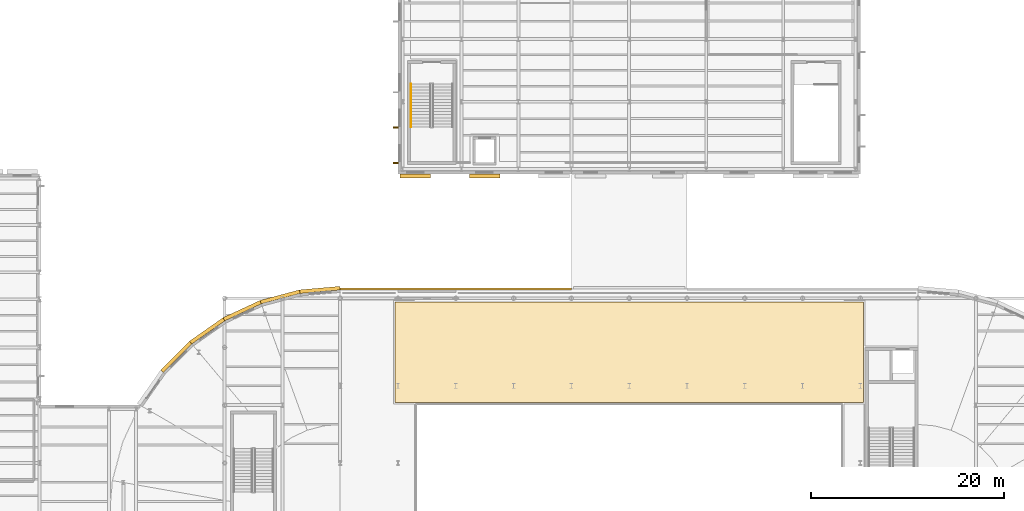
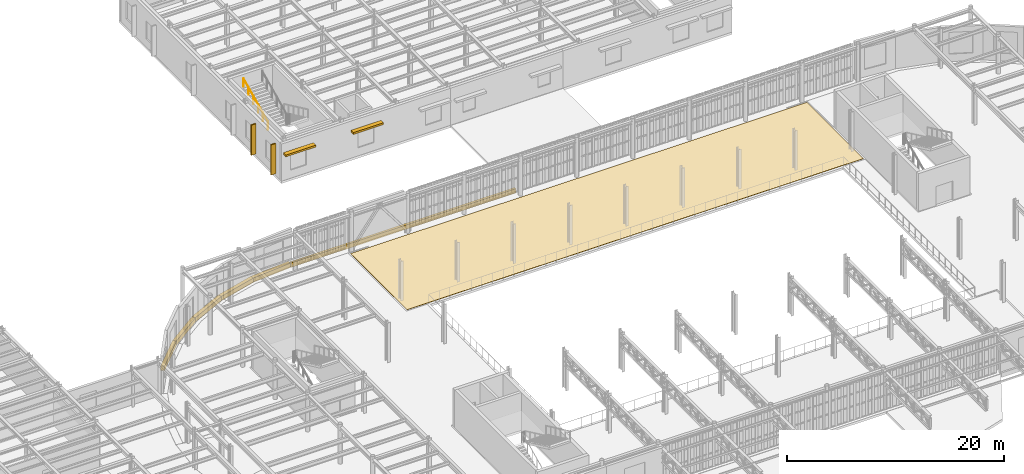
# One storey, part 86 of 91: 7 coverings, 4 shading devices, 1 railing, 1 element without a shape of its own.
"""IFC4 building model written with IfcOpenShell, lengths in metres."""

from ifc_helpers import new_model, si_unit, direction, frame, origin, origin_2d, place, context, subcontext, project, spatial, polyline, rectangle, circle, outline, extrude, material, layer, layer_set, type_object, element, aggregate, save


model = new_model("IFC4")

# Units and contexts
model_context = context("Model", 3, precision=1e-05, world=origin(), true_north=direction((0.0, 1.0)))
body_context = subcontext(model_context, "Body", "Model", "MODEL_VIEW")
ifc_project = project(units=[si_unit("LENGTHUNIT", "METRE"), si_unit("AREAUNIT", "SQUARE_METRE"), si_unit("VOLUMEUNIT", "CUBIC_METRE"), si_unit("PLANEANGLEUNIT", "RADIAN"), si_unit("MASSUNIT", "GRAM", prefix="KILO")], contexts=[model_context])

# Site, building, storey
site_placement = place(None, origin())
site = spatial("IfcSite", under=ifc_project, at=site_placement, CompositionType="ELEMENT")
building_placement = place(site_placement, origin())
building = spatial("IfcBuilding", under=site, at=building_placement, Name="Kolvaren Corner Interchange", CompositionType="ELEMENT")
storey_placement = place(building_placement, frame((0.0, 0.0, 6.0)))
storey = spatial("IfcBuildingStorey", under=building, at=storey_placement, Name="L02", CompositionType="ELEMENT", Elevation=6.0)

# Coverings
ifc_material_1 = material(Name="Polished Niger Delta Granite Terrazzo Flooring", Category="masonry")
ifc_layer_1 = layer(ifc_material_1, 0.030029296875)
ifc_layer_set_1 = layer_set([ifc_layer_1], Name="Polished Niger Delta Granite Terrazzo Flooring")
covering_type_1 = type_object("IfcCoveringType", Name="COV-FLR-TER30", PredefinedType="FLOORING", material=ifc_layer_set_1)
covering_1_placement = place(storey_placement, origin())
element("IfcCovering", 1, at=covering_1_placement, inside=storey, type_object=covering_type_1, Name="L02 North Racetrack Waiting Gallery Floor Finish", PredefinedType="FLOORING", context=body_context, shape_type="SweptSolid", body=[
    extrude(outline(polyline([(65.679931640625, 60.280029296875), (114.320068359375, 60.280029296875), (114.320068359375, 70.719970703125), (65.679931640625, 70.719970703125), (65.679931640625, 60.280029296875)])), origin(), (0.0, 0.0, 1.0), 0.030029296875),
])
ifc_material_2 = material(Name="Glazed White Terracotta Fascia Cladding", Category="masonry")
ifc_layer_2 = layer(ifc_material_2, 0.0400390625)
ifc_layer_set_2 = layer_set([ifc_layer_2], Name="Glazed White Terracotta Fascia Cladding")
covering_type_2 = type_object("IfcCoveringType", Name="COV-WHT-CLAD40", PredefinedType="CLADDING", material=ifc_layer_set_2)
covering_2_placement = place(storey_placement, frame((0.0, 0.0, -0.320068359375)))
element("IfcCovering", 2, at=covering_2_placement, inside=storey, type_object=covering_type_2, Name="Racetrack North West L02 White Band", PredefinedType="CLADDING", context=body_context, shape_type="SweptSolid", body=[
    extrude(outline(polyline([(60.0, 71.93994140625), (84.0, 71.93994140625), (84.0, 72.179931640625), (60.0, 72.179931640625), (60.0, 71.93994140625)])), origin(), (0.0, 0.0, 1.0), 0.5),
])
covering_3_placement = place(storey_placement, frame((0.0, 0.0, -0.320068359375)))
element("IfcCovering", 3, at=covering_3_placement, inside=storey, type_object=covering_type_2, Name="Racetrack West L02 Sweeping White Edge Band 01", PredefinedType="CLADDING", context=body_context, shape_type="SweptSolid", body=[
    extrude(outline(polyline([(60.0, 71.9599609375), (60.0, 72.340087890625), (55.7734375, 71.97021484375), (55.83935546875, 71.595947265625), (60.0, 71.9599609375)])), origin(), (0.0, 0.0, 1.0), 0.5),
])
covering_4_placement = place(storey_placement, frame((0.0, 0.0, -0.320068359375)))
element("IfcCovering", 4, at=covering_4_placement, inside=storey, type_object=covering_type_2, Name="Racetrack West L02 Sweeping White Edge Band 02", PredefinedType="CLADDING", context=body_context, shape_type="SweptSolid", body=[
    extrude(outline(polyline([(55.83935546875, 71.595947265625), (55.7734375, 71.97021484375), (51.67529296875, 70.8720703125), (51.80517578125, 70.514892578125), (55.83935546875, 71.595947265625)])), origin(), (0.0, 0.0, 1.0), 0.5),
])
covering_5_placement = place(storey_placement, frame((0.0, 0.0, -0.320068359375)))
element("IfcCovering", 5, at=covering_5_placement, inside=storey, type_object=covering_type_2, Name="Racetrack West L02 Sweeping White Edge Band 03", PredefinedType="CLADDING", context=body_context, shape_type="SweptSolid", body=[
    extrude(outline(polyline([(51.80517578125, 70.514892578125), (51.67529296875, 70.8720703125), (47.830078125, 69.0791015625), (48.02001953125, 68.75), (51.80517578125, 70.514892578125)])), origin(), (0.0, 0.0, 1.0), 0.5),
])
covering_6_placement = place(storey_placement, frame((0.0, 0.0, -0.320068359375)))
element("IfcCovering", 6, at=covering_6_placement, inside=storey, type_object=covering_type_2, Name="Racetrack West L02 Sweeping White Edge Band 04", PredefinedType="CLADDING", context=body_context, shape_type="SweptSolid", body=[
    extrude(outline(polyline([(48.02001953125, 68.75), (47.830078125, 69.0791015625), (44.3544921875, 66.6455078125), (44.598876953125, 66.3544921875), (48.02001953125, 68.75)])), origin(), (0.0, 0.0, 1.0), 0.5),
])
covering_7_placement = place(storey_placement, frame((0.0, 0.0, -0.320068359375)))
element("IfcCovering", 7, at=covering_7_placement, inside=storey, type_object=covering_type_2, Name="Racetrack West L02 Sweeping White Edge Band 05", PredefinedType="CLADDING", context=body_context, shape_type="SweptSolid", body=[
    extrude(outline(polyline([(44.598876953125, 66.3544921875), (44.3544921875, 66.6455078125), (41.3544921875, 63.6455078125), (41.6455078125, 63.401123046875), (44.598876953125, 66.3544921875)])), origin(), (0.0, 0.0, 1.0), 0.5),
])

# Stair, railing
ifc_material_3 = material(Name="Concrete C35/45", Category="concrete")
stair_type = type_object("IfcStairType", Name="ST-PL-2100", PredefinedType="HALF_TURN_STAIR", material=ifc_material_3)
stair_placement = place(storey_placement, origin())
stair = element("IfcStair", 8, at=stair_placement, inside=storey, type_object=stair_type, Name="Cycle Hub West Pavilion Exit Stair L02 to L03 Stair", PredefinedType="HALF_TURN_STAIR")
ifc_material_4 = material(Name="Brushed Stainless Steel Stair Handrail", Category="steel")
railing_type = type_object("IfcRailingType", Name="RLT-STAIR-HR950", PredefinedType="HANDRAIL", material=ifc_material_4)
railing_placement = place(storey_placement, frame((67.360107421875, 88.8701171875, 2.39990234375)))
railing = element("IfcRailing", 9, at=railing_placement, type_object=railing_type, Name="Cycle Hub West Pavilion Exit Stair L02 Upper Flight Wall Handrail", PredefinedType="HANDRAIL", context=body_context, shape_type="SweptSolid", body=[
    extrude(circle(Radius=0.02197265625, at=origin_2d()), frame((0.0, 0.0, 0.927978515625), z_axis=(0.0, 0.905450639465, 0.424451574969), x_axis=(-1.0, 0.0, 0.0)), (0.0, 0.0, 1.0), 4.94775390625),
    extrude(circle(Radius=0.01806640625, at=origin_2d()), origin(), (0.0, 0.0, 1.0), 0.906005859375),
    extrude(circle(Radius=0.01806640625, at=origin_2d()), frame((0.0, 0.89599609375, 0.419921875)), (0.0, 0.0, 1.0), 0.906005859375),
    extrude(circle(Radius=0.01806640625, at=origin_2d()), frame((0.0, 1.7919921875, 0.840087890625)), (0.0, 0.0, 1.0), 0.906005859375),
    extrude(circle(Radius=0.01806640625, at=origin_2d()), frame((0.0, 2.68798828125, 1.260009765625)), (0.0, 0.0, 1.0), 0.906005859375),
    extrude(circle(Radius=0.01806640625, at=origin_2d()), frame((0.0, 3.583984375, 1.68017578125)), (0.0, 0.0, 1.0), 0.906005859375),
    extrude(circle(Radius=0.01806640625, at=origin_2d()), frame((0.0, 4.47998046875, 2.10009765625)), (0.0, 0.0, 1.0), 0.906005859375),
])
aggregate(stair, [railing])

# Shading devices
ifc_material_5 = material(Name="Glazed Ochre Ceramic Baguette Solar Louvre")
shading_device_type_1 = type_object("IfcShadingDeviceType", Name="SHD-BAG-H450", PredefinedType="JALOUSIE", material=ifc_material_5)
for number, where, z_axis, x_axis, name in (
    (10, (67.800048828125, 83.7900390625, 2.93017578125), (0.0, 0.0, 1.0), (1.0, 0.0, 0.0), "L02 Ceramic Solar Shading 0265"),
    (11, (75.0, 83.7900390625, 2.93017578125), (0.0, 0.0, 1.0), (1.0, 0.0, 0.0), "L02 Ceramic Solar Shading 0266"),
):
    element("IfcShadingDevice", number, at=place(storey_placement, frame(where, z_axis=z_axis, x_axis=x_axis)), inside=storey, type_object=shading_device_type_1, Name=name, PredefinedType="JALOUSIE", context=body_context, shape_type="SweptSolid", body=[
        extrude(rectangle(XDim=3.199951171875, YDim=0.449951171875, at=origin_2d()), origin(), (0.0, 0.0, 1.0), 0.219970703125),
    ])
ifc_material_6 = material(Name="Vertical Terracotta Solar Fin", Category="masonry")
shading_device_type_2 = type_object("IfcShadingDeviceType", Name="SHD-FIN-V500", PredefinedType="USERDEFINED", material=ifc_material_6)
for number, where, z_axis, x_axis, name in (
    (12, (65.764892578125, 88.81494140625, 0.199951171875), (0.0, 0.0, 1.0), (0.0, -1.0, 0.0), "L02 Ceramic Solar Shading 0291"),
    (13, (65.764892578125, 85.14501953125, 0.199951171875), (0.0, 0.0, 1.0), (0.0, -1.0, 0.0), "L02 Ceramic Solar Shading 0292"),
):
    element("IfcShadingDevice", number, at=place(storey_placement, frame(where, z_axis=z_axis, x_axis=x_axis)), inside=storey, type_object=shading_device_type_2, Name=name, ObjectType="SUNSHADE", PredefinedType="USERDEFINED", context=body_context, shape_type="SweptSolid", body=[
        extrude(rectangle(XDim=0.139892578125, YDim=0.5, at=origin_2d()), origin(), (0.0, 0.0, 1.0), 3.39990234375),
    ])

save(model, "model.ifc")
